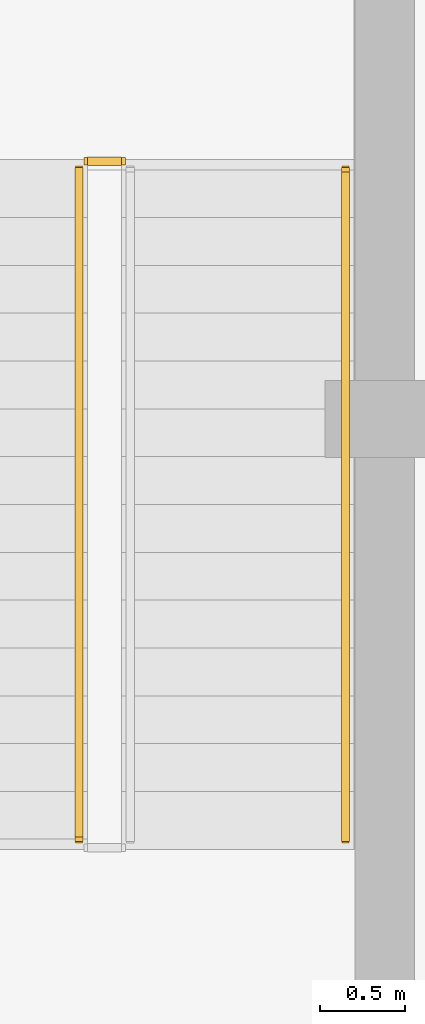
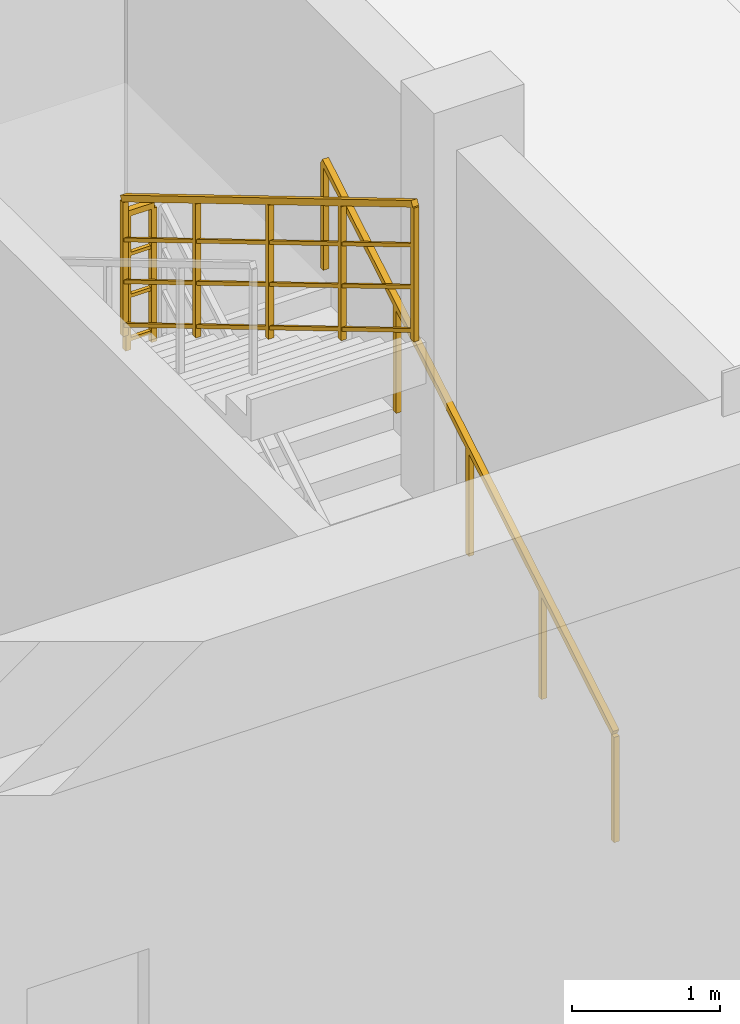
# One storey, part 11 of 12: 3 railings.
"""IFC4 building model written with IfcOpenShell, lengths in metres."""

from ifc_helpers import new_model, si_unit, direction, frame, origin, origin_2d, place, context, subcontext, project, spatial, rectangle, extrude, material, type_object, element, save


model = new_model("IFC4")

# Units and contexts
model_context = context("Model", 3, precision=1e-05, world=origin(), true_north=direction((0.0, 1.0)))
body_context = subcontext(model_context, "Body", "Model", "MODEL_VIEW")
ifc_project = project(units=[si_unit("LENGTHUNIT", "METRE"), si_unit("AREAUNIT", "SQUARE_METRE"), si_unit("VOLUMEUNIT", "CUBIC_METRE"), si_unit("PLANEANGLEUNIT", "RADIAN"), si_unit("MASSUNIT", "GRAM", prefix="KILO")], contexts=[model_context])

# Site, building, storey
site_placement = place(None, origin())
site = spatial("IfcSite", under=ifc_project, at=site_placement, CompositionType="ELEMENT")
building_placement = place(site_placement, origin())
building = spatial("IfcBuilding", under=site, at=building_placement, Name="Varakhsha Concourse Tower", CompositionType="ELEMENT")
storey_placement = place(building_placement, frame((0.0, 0.0, -10.0)))
storey = spatial("IfcBuildingStorey", under=building, at=storey_placement, Name="B02", CompositionType="ELEMENT", Elevation=-10.0)

# Railings
ifc_material = material(Name="Brushed Austenitic Stainless Steel AISI 316", Category="steel")
railing_type_1 = type_object("IfcRailingType", Name="RL-STAIR-GUARD-1100", PredefinedType="GUARDRAIL", material=ifc_material)
railing_1_placement = place(storey_placement, frame((46.659912109375, 21.909912109375, 2.5)))
element("IfcRailing", 1, at=railing_1_placement, inside=storey, type_object=railing_type_1, Name="B02 ST2 stair guard 2", PredefinedType="GUARDRAIL", context=body_context, shape_type="SweptSolid", body=[
    extrude(rectangle(XDim=0.048095703125, YDim=0.048095703125, at=origin_2d()), frame((0.0, 0.0, 1.1259765625), z_axis=(-1.0, 0.0, 0.0), x_axis=(0.0, -1.0, 0.0)), (0.0, 0.0, 1.0), 0.199951171875),
    extrude(rectangle(XDim=0.028076171875, YDim=0.028076171875, at=origin_2d()), frame((0.0, 0.0, 0.080078125), z_axis=(-1.0, 0.0, 0.0), x_axis=(0.0, -1.0, 0.0)), (0.0, 0.0, 1.0), 0.199951171875),
    extrude(rectangle(XDim=0.028076171875, YDim=0.028076171875, at=origin_2d()), frame((0.0, 0.0, 0.43701171875), z_axis=(-1.0, 0.0, 0.0), x_axis=(0.0, -1.0, 0.0)), (0.0, 0.0, 1.0), 0.199951171875),
    extrude(rectangle(XDim=0.028076171875, YDim=0.028076171875, at=origin_2d()), frame((0.0, 0.0, 0.781982421875), z_axis=(-1.0, 0.0, 0.0), x_axis=(0.0, -1.0, 0.0)), (0.0, 0.0, 1.0), 0.199951171875),
    extrude(rectangle(XDim=0.0419921875, YDim=0.0419921875, at=origin_2d()), origin(), (0.0, 0.0, 1.0), 1.101806640625),
    extrude(rectangle(XDim=0.0419921875, YDim=0.0419921875, at=origin_2d()), frame((-0.199951171875, 0.0, 0.0)), (0.0, 0.0, 1.0), 1.101806640625),
])
railing_2_placement = place(storey_placement, frame((46.409912109375, 21.860107421875, 2.666748046875)))
element("IfcRailing", 2, at=railing_2_placement, inside=storey, type_object=railing_type_1, Name="B02 ST2 stair guard 3", PredefinedType="GUARDRAIL", context=body_context, shape_type="SweptSolid", body=[
    extrude(rectangle(XDim=0.048095703125, YDim=0.048095703125, at=origin_2d()), frame((0.0, 0.0, 1.1259765625), z_axis=(0.0, -0.859310244771, 0.511454693235), x_axis=(1.0, 0.0, 0.0)), (0.0, 0.0, 1.0), 4.56201171875),
    extrude(rectangle(XDim=0.028076171875, YDim=0.028076171875, at=origin_2d()), frame((0.0, 0.0, 0.080078125), z_axis=(0.0, -0.859310244771, 0.511454693235), x_axis=(1.0, 0.0, 0.0)), (0.0, 0.0, 1.0), 4.56201171875),
    extrude(rectangle(XDim=0.028076171875, YDim=0.028076171875, at=origin_2d()), frame((0.0, 0.0, 0.43701171875), z_axis=(0.0, -0.859310244771, 0.511454693235), x_axis=(1.0, 0.0, 0.0)), (0.0, 0.0, 1.0), 4.56201171875),
    extrude(rectangle(XDim=0.028076171875, YDim=0.028076171875, at=origin_2d()), frame((0.0, 0.0, 0.781982421875), z_axis=(0.0, -0.859310244771, 0.511454693235), x_axis=(1.0, 0.0, 0.0)), (0.0, 0.0, 1.0), 4.56201171875),
    extrude(rectangle(XDim=0.0419921875, YDim=0.0419921875, at=origin_2d()), origin(), (0.0, 0.0, 1.0), 1.101806640625),
    extrude(rectangle(XDim=0.0419921875, YDim=0.0419921875, at=origin_2d()), frame((0.0, -0.97998046875, 0.583251953125)), (0.0, 0.0, 1.0), 1.101806640625),
    extrude(rectangle(XDim=0.0419921875, YDim=0.0419921875, at=origin_2d()), frame((0.0, -1.9599609375, 1.16650390625)), (0.0, 0.0, 1.0), 1.101806640625),
    extrude(rectangle(XDim=0.0419921875, YDim=0.0419921875, at=origin_2d()), frame((0.0, -2.940185546875, 1.75)), (0.0, 0.0, 1.0), 1.101806640625),
    extrude(rectangle(XDim=0.0419921875, YDim=0.0419921875, at=origin_2d()), frame((0.0, -3.920166015625, 2.333251953125)), (0.0, 0.0, 1.0), 1.101806640625),
])
railing_type_2 = type_object("IfcRailingType", Name="RL-STAIR-RAIL-915", PredefinedType="HANDRAIL", material=ifc_material)
railing_3_placement = place(storey_placement, frame((47.969970703125, 17.93994140625, 0.333251953125)))
element("IfcRailing", 3, at=railing_3_placement, inside=storey, type_object=railing_type_2, Name="B02 ST2 stair handrail 1", PredefinedType="HANDRAIL", context=body_context, shape_type="SweptSolid", body=[
    extrude(rectangle(XDim=0.048095703125, YDim=0.048095703125, at=origin_2d()), frame((0.0, 0.0, 0.89111328125), z_axis=(0.0, 0.859286724212, 0.511494208758), x_axis=(-1.0, 0.0, 0.0)), (0.0, 0.0, 1.0), 4.56201171875),
    extrude(rectangle(XDim=0.0419921875, YDim=0.0419921875, at=origin_2d()), origin(), (0.0, 0.0, 1.0), 0.866943359375),
    extrude(rectangle(XDim=0.0419921875, YDim=0.0419921875, at=origin_2d()), frame((0.0, 0.97998046875, 0.58349609375)), (0.0, 0.0, 1.0), 0.866943359375),
    extrude(rectangle(XDim=0.0419921875, YDim=0.0419921875, at=origin_2d()), frame((0.0, 1.9599609375, 1.166748046875)), (0.0, 0.0, 1.0), 0.866943359375),
    extrude(rectangle(XDim=0.0419921875, YDim=0.0419921875, at=origin_2d()), frame((0.0, 2.940185546875, 1.75)), (0.0, 0.0, 1.0), 0.866943359375),
    extrude(rectangle(XDim=0.0419921875, YDim=0.0419921875, at=origin_2d()), frame((0.0, 3.920166015625, 2.33349609375)), (0.0, 0.0, 1.0), 0.866943359375),
])

save(model, "model.ifc")
